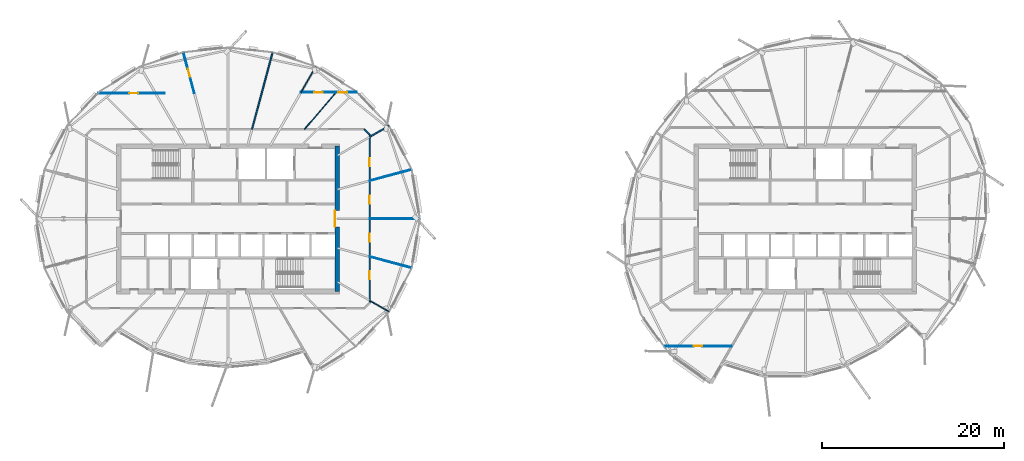
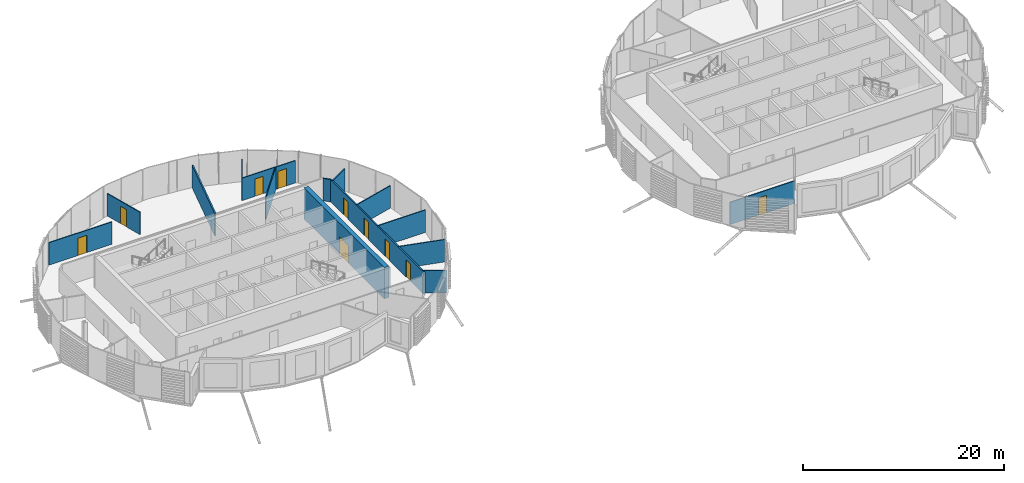
# One storey, part 22 of 41: 16 walls, 10 doors, 10 openings.
"""IFC4 building model written with IfcOpenShell, lengths in metres."""

from ifc_helpers import new_model, si_unit, direction, frame, frame_2d, origin, place, context, subcontext, project, spatial, rectangle, extrude, material, layer, layer_set, type_object, element, fill, save


model = new_model("IFC4")

# Units and contexts
model_context = context("Model", 3, precision=1e-05, world=origin(), true_north=direction((0.0, 1.0)))
body_context = subcontext(model_context, "Body", "Model", "MODEL_VIEW")
ifc_project = project(units=[si_unit("LENGTHUNIT", "METRE"), si_unit("AREAUNIT", "SQUARE_METRE"), si_unit("VOLUMEUNIT", "CUBIC_METRE"), si_unit("PLANEANGLEUNIT", "RADIAN"), si_unit("MASSUNIT", "GRAM", prefix="KILO")], contexts=[model_context])

# Site, building, storey
site_placement = place(None, origin())
site = spatial("IfcSite", under=ifc_project, at=site_placement, CompositionType="ELEMENT")
building_placement = place(site_placement, origin())
building = spatial("IfcBuilding", under=site, at=building_placement, Name="Rimbun Link Towers", CompositionType="ELEMENT")
storey_placement = place(building_placement, frame((0.0, 0.0, 214.300048828125)))
storey = spatial("IfcBuildingStorey", under=building, at=storey_placement, Name="L52", CompositionType="ELEMENT", Elevation=214.300048828125)

# Wall, opening, door
ifc_material_1 = material(Name="Concrete C60/75", Category="concrete")
ifc_layer_1 = layer(ifc_material_1, 0.5)
ifc_layer_set_1 = layer_set([ifc_layer_1], Name="Core shear wall 500")
wall_type_1 = type_object("IfcWallType", Name="Core shear wall 500", PredefinedType="SHEAR", material=ifc_layer_set_1)
wall_1_placement = place(storey_placement, frame((-19.75, -8.0, 0.0), z_axis=(0.0, 0.0, 1.0), x_axis=(0.0, 1.0, 0.0)))
wall_1 = element("IfcWall", 1, at=wall_1_placement, inside=storey, type_object=wall_type_1, Name="L52 T1 core wall E", PredefinedType="SHEAR", context=body_context, shape_type="SweptSolid", body=[
    extrude(rectangle(XDim=16.0, YDim=0.5, at=frame_2d((8.0, 0.0))), origin(), (0.0, 0.0, 1.0), 3.800048828125),
])
opening_1_placement = place(wall_1_placement, frame((7.10009765625, 0.0, 0.0)))
opening_1 = element("IfcOpeningElement", 2, at=opening_1_placement, cuts=wall_1, Name="Opening C1DCL01E", PredefinedType="OPENING", context=body_context, shape_type="SweptSolid", body=[
    extrude(rectangle(XDim=1.800048828125, YDim=2.10009765625, at=frame_2d((0.89990234375, 1.050048828125))), frame((0.0, 0.260009765625, 0.0), z_axis=(0.0, -1.0, 0.0), x_axis=(1.0, 0.0, 0.0)), (0.0, 0.0, 1.0), 0.52001953125),
])
ifc_material_2 = material(Name="Steel fire door set", Category="steel")
door_type_1 = type_object("IfcDoorType", Name="Core lobby door double", OperationType="DOUBLE_DOOR_SINGLE_SWING", PredefinedType="DOOR", material=ifc_material_2)
door_1_placement = place(opening_1_placement, origin())
door_1 = element("IfcDoor", 3, at=door_1_placement, inside=storey, type_object=door_type_1, Name="L52 T1 lift lobby door", OperationType="DOUBLE_DOOR_SINGLE_SWING", OverallHeight=2.10009765625, OverallWidth=1.800048828125, PredefinedType="DOOR", context=body_context, shape_type="SweptSolid", body=[
    extrude(rectangle(XDim=1.800048828125, YDim=2.10009765625, at=frame_2d((0.89990234375, 1.050048828125))), frame((0.0, 0.25, 0.0), z_axis=(0.0, -1.0, 0.0), x_axis=(1.0, 0.0, 0.0)), (0.0, 0.0, 1.0), 0.050048828125),
])
fill(opening_1, door_1)

# Wall
ifc_material_3 = material(Name="Plasterboard on steel stud, mineral wool", Category="steel")
ifc_layer_2 = layer(ifc_material_3, 0.14990234375)
ifc_layer_set_2 = layer_set([ifc_layer_2], Name="Corridor wall EI 30 150 mm")
wall_type_2 = type_object("IfcWallType", Name="Corridor wall EI 30 150 mm", PredefinedType="PARTITIONING", material=ifc_layer_set_2)
wall_2_placement = place(storey_placement, frame((-16.1650390625, 9.263671875, 0.0), z_axis=(0.0, 0.0, 1.0), x_axis=(-0.707106781187, 0.707106781187, 0.0)))
element("IfcWall", 4, at=wall_2_placement, inside=storey, type_object=wall_type_2, Name="Corridor wall EI 30 150 mm", PredefinedType="PARTITIONING", context=body_context, shape_type="SweptSolid", body=[
    extrude(rectangle(XDim=0.822021484375, YDim=0.14990234375, at=frame_2d((0.4111328125, 0.0))), origin(), (0.0, 0.0, 1.0), 2.721923828125),
])

# Wall, openings, doors
wall_3_placement = place(storey_placement, frame((-16.1650390625, 9.263671875, 0.0), z_axis=(0.0, 0.0, 1.0), x_axis=(0.0, -1.0, 0.0)))
wall_3 = element("IfcWall", 5, at=wall_3_placement, inside=storey, type_object=wall_type_2, Name="Corridor wall EI 30 150 mm", PredefinedType="PARTITIONING", context=body_context, shape_type="SweptSolid", body=[
    extrude(rectangle(XDim=18.52734375, YDim=0.14990234375, at=frame_2d((9.263671875, 0.0))), origin(), (0.0, 0.0, 1.0), 2.721923828125),
])
opening_2_placement = place(wall_3_placement, frame((15.041748046875, 0.0, 0.0)))
opening_2 = element("IfcOpeningElement", 6, at=opening_2_placement, cuts=wall_3, Name="Opening D02", PredefinedType="OPENING", context=body_context, shape_type="SweptSolid", body=[
    extrude(rectangle(XDim=0.89990234375, YDim=2.10009765625, at=frame_2d((0.449951171875, 1.050048828125))), frame((0.0, 0.0849609375, 0.0), z_axis=(0.0, -1.0, 0.0), x_axis=(1.0, 0.0, 0.0)), (0.0, 0.0, 1.0), 0.169921875),
])
opening_3_placement = place(wall_3_placement, frame((10.901611328125, 0.0, 0.0)))
opening_3 = element("IfcOpeningElement", 7, at=opening_3_placement, cuts=wall_3, Name="Opening D02", PredefinedType="OPENING", context=body_context, shape_type="SweptSolid", body=[
    extrude(rectangle(XDim=0.89990234375, YDim=2.10009765625, at=frame_2d((0.449951171875, 1.050048828125))), frame((0.0, 0.0849609375, 0.0), z_axis=(0.0, -1.0, 0.0), x_axis=(1.0, 0.0, 0.0)), (0.0, 0.0, 1.0), 0.169921875),
])
opening_4_placement = place(wall_3_placement, frame((6.7255859375, 0.0, 0.0)))
opening_4 = element("IfcOpeningElement", 8, at=opening_4_placement, cuts=wall_3, Name="Opening D02", PredefinedType="OPENING", context=body_context, shape_type="SweptSolid", body=[
    extrude(rectangle(XDim=0.89990234375, YDim=2.10009765625, at=frame_2d((0.449951171875, 1.050048828125))), frame((0.0, 0.0849609375, 0.0), z_axis=(0.0, -1.0, 0.0), x_axis=(1.0, 0.0, 0.0)), (0.0, 0.0, 1.0), 0.169921875),
])
opening_5_placement = place(wall_3_placement, frame((2.585693359375, 0.0, 0.0)))
opening_5 = element("IfcOpeningElement", 9, at=opening_5_placement, cuts=wall_3, Name="Opening D02", PredefinedType="OPENING", context=body_context, shape_type="SweptSolid", body=[
    extrude(rectangle(XDim=0.89990234375, YDim=2.10009765625, at=frame_2d((0.449951171875, 1.050048828125))), frame((0.0, 0.0849609375, 0.0), z_axis=(0.0, -1.0, 0.0), x_axis=(1.0, 0.0, 0.0)), (0.0, 0.0, 1.0), 0.169921875),
])
ifc_material_4 = material(Name="Fire-resisting timber door leaf", Category="wood")
door_type_2 = type_object("IfcDoorType", Name="Fire door FD30S 900", OperationType="NOTDEFINED", PredefinedType="DOOR", material=ifc_material_4)
door_2_placement = place(opening_2_placement, origin())
door_2 = element("IfcDoor", 10, at=door_2_placement, inside=storey, type_object=door_type_2, Name="Fire door FD30S 900 to Open office", OperationType="SINGLE_SWING_LEFT", OverallHeight=2.10009765625, OverallWidth=0.89990234375, PredefinedType="DOOR", context=body_context, shape_type="SweptSolid", body=[
    extrude(rectangle(XDim=0.89990234375, YDim=2.10009765625, at=frame_2d((0.449951171875, 1.050048828125))), frame((0.0, 0.02490234375, 0.0), z_axis=(0.0, -1.0, 0.0), x_axis=(1.0, 0.0, 0.0)), (0.0, 0.0, 1.0), 0.050048828125),
])
fill(opening_2, door_2)
door_3_placement = place(opening_3_placement, origin())
door_3 = element("IfcDoor", 11, at=door_3_placement, inside=storey, type_object=door_type_2, Name="Fire door FD30S 900 to Boardroom", OperationType="SINGLE_SWING_RIGHT", OverallHeight=2.10009765625, OverallWidth=0.89990234375, PredefinedType="DOOR", context=body_context, shape_type="SweptSolid", body=[
    extrude(rectangle(XDim=0.89990234375, YDim=2.10009765625, at=frame_2d((0.449951171875, 1.050048828125))), frame((0.0, 0.02490234375, 0.0), z_axis=(0.0, -1.0, 0.0), x_axis=(1.0, 0.0, 0.0)), (0.0, 0.0, 1.0), 0.050048828125),
])
fill(opening_3, door_3)
door_4_placement = place(opening_4_placement, origin())
door_4 = element("IfcDoor", 12, at=door_4_placement, inside=storey, type_object=door_type_2, Name="Fire door FD30S 900 to Meeting room", OperationType="SINGLE_SWING_LEFT", OverallHeight=2.10009765625, OverallWidth=0.89990234375, PredefinedType="DOOR", context=body_context, shape_type="SweptSolid", body=[
    extrude(rectangle(XDim=0.89990234375, YDim=2.10009765625, at=frame_2d((0.449951171875, 1.050048828125))), frame((0.0, 0.02490234375, 0.0), z_axis=(0.0, -1.0, 0.0), x_axis=(1.0, 0.0, 0.0)), (0.0, 0.0, 1.0), 0.050048828125),
])
fill(opening_4, door_4)
door_5_placement = place(opening_5_placement, origin())
door_5 = element("IfcDoor", 13, at=door_5_placement, inside=storey, type_object=door_type_2, Name="Fire door FD30S 900 to Executive office", OperationType="SINGLE_SWING_RIGHT", OverallHeight=2.10009765625, OverallWidth=0.89990234375, PredefinedType="DOOR", context=body_context, shape_type="SweptSolid", body=[
    extrude(rectangle(XDim=0.89990234375, YDim=2.10009765625, at=frame_2d((0.449951171875, 1.050048828125))), frame((0.0, 0.02490234375, 0.0), z_axis=(0.0, -1.0, 0.0), x_axis=(1.0, 0.0, 0.0)), (0.0, 0.0, 1.0), 0.050048828125),
])
fill(opening_5, door_5)

# Walls
ifc_material_5 = material(Name="Plasterboard on steel stud", Category="steel")
ifc_layer_3 = layer(ifc_material_5, 0.10009765625)
ifc_layer_set_3 = layer_set([ifc_layer_3], Name="Plasterboard partition 100 mm")
wall_type_3 = type_object("IfcWallType", Name="Plasterboard partition 100 mm", PredefinedType="PARTITIONING", material=ifc_layer_set_3)
wall_4_placement = place(storey_placement, frame((-14.065185546875, -10.21044921875, 0.0), z_axis=(0.0, 0.0, 1.0), x_axis=(-0.866016233231, 0.500015883528, 0.0)))
element("IfcWall", 14, at=wall_4_placement, inside=storey, type_object=wall_type_3, Name="Plasterboard partition 100 mm", PredefinedType="PARTITIONING", context=body_context, shape_type="SweptSolid", body=[
    extrude(rectangle(XDim=2.4248046875, YDim=0.10009765625, at=frame_2d((1.21240234375, 0.0))), origin(), (0.0, 0.0, 1.0), 2.721923828125),
])
wall_5_placement = place(storey_placement, frame((-11.57861328125, -5.40478515625, 0.0), z_axis=(0.0, 0.0, 1.0), x_axis=(-0.96593474065, 0.258785773964, 0.0)))
element("IfcWall", 15, at=wall_5_placement, inside=storey, type_object=wall_type_3, Name="Plasterboard partition 100 mm", PredefinedType="PARTITIONING", context=body_context, shape_type="SweptSolid", body=[
    extrude(rectangle(XDim=4.748291015625, YDim=0.10009765625, at=frame_2d((2.3740234375, 0.0))), origin(), (0.0, 0.0, 1.0), 2.721923828125),
])
wall_6_placement = place(storey_placement, frame((-10.689697265625, 0.0, 0.0), z_axis=(0.0, 0.0, 1.0), x_axis=(-1.0, 0.0, 0.0)))
element("IfcWall", 16, at=wall_6_placement, inside=storey, type_object=wall_type_3, Name="Plasterboard partition 100 mm", PredefinedType="PARTITIONING", context=body_context, shape_type="SweptSolid", body=[
    extrude(rectangle(XDim=5.475341796875, YDim=0.10009765625, at=frame_2d((2.73779296875, 0.0))), origin(), (0.0, 0.0, 1.0), 2.721923828125),
])
wall_7_placement = place(storey_placement, frame((-11.57861328125, 5.40478515625, 0.0), z_axis=(0.0, 0.0, 1.0), x_axis=(-0.96593474065, -0.258785773964, 0.0)))
element("IfcWall", 17, at=wall_7_placement, inside=storey, type_object=wall_type_3, Name="Plasterboard partition 100 mm", PredefinedType="PARTITIONING", context=body_context, shape_type="SweptSolid", body=[
    extrude(rectangle(XDim=4.748291015625, YDim=0.10009765625, at=frame_2d((2.3740234375, 0.0))), origin(), (0.0, 0.0, 1.0), 2.721923828125),
])

# Wall, opening, door
wall_8_placement = place(storey_placement, frame((-19.916259765625, 13.89501953125, 0.0), z_axis=(0.0, 0.0, 1.0), x_axis=(1.0, 0.0, 0.0)))
wall_8 = element("IfcWall", 18, at=wall_8_placement, inside=storey, type_object=wall_type_3, Name="Plasterboard partition 100 mm", PredefinedType="PARTITIONING", context=body_context, shape_type="SweptSolid", body=[
    extrude(rectangle(XDim=2.318603515625, YDim=0.10009765625, at=frame_2d((1.1591796875, 0.0))), origin(), (0.0, 0.0, 1.0), 2.721923828125),
])
opening_6_placement = place(wall_8_placement, frame((0.300048828125, 0.0, 0.0)))
opening_6 = element("IfcOpeningElement", 19, at=opening_6_placement, cuts=wall_8, Name="Opening D03", PredefinedType="OPENING", context=body_context, shape_type="SweptSolid", body=[
    extrude(rectangle(XDim=1.0, YDim=2.10009765625, at=frame_2d((0.5, 1.050048828125))), frame((0.0, 0.06005859375, 0.0), z_axis=(0.0, -1.0, 0.0), x_axis=(1.0, 0.0, 0.0)), (0.0, 0.0, 1.0), 0.1201171875),
])
ifc_material_6 = material(Name="Timber door leaf", Category="wood")
door_type_3 = type_object("IfcDoorType", Name="Flush door 1000", OperationType="NOTDEFINED", PredefinedType="DOOR", material=ifc_material_6)
door_6_placement = place(opening_6_placement, origin())
door_6 = element("IfcDoor", 20, at=door_6_placement, inside=storey, type_object=door_type_3, Name="Flush door 1000 to Boardroom", OperationType="SINGLE_SWING_LEFT", OverallHeight=2.10009765625, OverallWidth=1.0, PredefinedType="DOOR", context=body_context, shape_type="SweptSolid", body=[
    extrude(rectangle(XDim=1.0, YDim=2.10009765625, at=frame_2d((0.5, 1.050048828125))), frame((0.0, 0.02490234375, 0.0), z_axis=(0.0, -1.0, 0.0), x_axis=(1.0, 0.0, 0.0)), (0.0, 0.0, 1.0), 0.050048828125),
])
fill(opening_6, door_6)

# Wall
wall_9_placement = place(storey_placement, frame((-19.876708984375, 13.89501953125, 0.0), z_axis=(0.0, 0.0, 1.0), x_axis=(-0.649624395517, -0.760255315502, 0.0)))
element("IfcWall", 21, at=wall_9_placement, inside=storey, type_object=wall_type_3, Name="Plasterboard partition 100 mm", PredefinedType="PARTITIONING", context=body_context, shape_type="SweptSolid", body=[
    extrude(rectangle(XDim=5.3271484375, YDim=0.10009765625, at=frame_2d((2.66357421875, 0.0))), origin(), (0.0, 0.0, 1.0), 2.721923828125),
])

# Wall, opening, door
wall_10_placement = place(storey_placement, frame((-19.876708984375, 13.89501953125, 0.0), z_axis=(0.0, 0.0, 1.0), x_axis=(-1.0, 0.0, 0.0)))
wall_10 = element("IfcWall", 22, at=wall_10_placement, inside=storey, type_object=wall_type_3, Name="Plasterboard partition 100 mm", PredefinedType="PARTITIONING", context=body_context, shape_type="SweptSolid", body=[
    extrude(rectangle(XDim=3.85107421875, YDim=0.10009765625, at=frame_2d((1.925537109375, 0.0))), origin(), (0.0, 0.0, 1.0), 2.721923828125),
])
opening_7_placement = place(wall_10_placement, frame((1.475341796875, 0.0, 0.0)))
opening_7 = element("IfcOpeningElement", 23, at=opening_7_placement, cuts=wall_10, Name="Opening D04", PredefinedType="OPENING", context=body_context, shape_type="SweptSolid", body=[
    extrude(rectangle(XDim=0.89990234375, YDim=2.10009765625, at=frame_2d((0.449951171875, 1.050048828125))), frame((0.0, 0.06005859375, 0.0), z_axis=(0.0, -1.0, 0.0), x_axis=(1.0, 0.0, 0.0)), (0.0, 0.0, 1.0), 0.1201171875),
])
ifc_material_7 = material(Name="Timber door leaf", Category="wood")
door_type_4 = type_object("IfcDoorType", Name="Flush door 900", OperationType="NOTDEFINED", PredefinedType="DOOR", material=ifc_material_7)
door_7_placement = place(opening_7_placement, origin())
door_7 = element("IfcDoor", 24, at=door_7_placement, inside=storey, type_object=door_type_4, Name="Flush door 900 to Meeting room", OperationType="SINGLE_SWING_RIGHT", OverallHeight=2.10009765625, OverallWidth=0.89990234375, PredefinedType="DOOR", context=body_context, shape_type="SweptSolid", body=[
    extrude(rectangle(XDim=0.89990234375, YDim=2.10009765625, at=frame_2d((0.449951171875, 1.050048828125))), frame((0.0, 0.02490234375, 0.0), z_axis=(0.0, -1.0, 0.0), x_axis=(1.0, 0.0, 0.0)), (0.0, 0.0, 1.0), 0.050048828125),
])
fill(opening_7, door_7)

# Wall
wall_11_placement = place(storey_placement, frame((-22.100341796875, 16.713623046875, 0.0), z_axis=(0.0, 0.0, 1.0), x_axis=(-0.500027630784, -0.866009450556, 0.0)))
element("IfcWall", 25, at=wall_11_placement, inside=storey, type_object=wall_type_3, Name="Plasterboard partition 100 mm", PredefinedType="PARTITIONING", context=body_context, shape_type="SweptSolid", body=[
    extrude(rectangle(XDim=3.254638671875, YDim=0.10009765625, at=frame_2d((1.62744140625, 0.0))), origin(), (0.0, 0.0, 1.0), 2.721923828125),
])

# Wall, opening, door
wall_12_placement = place(storey_placement, frame((-46.003662109375, 13.804931640625, 0.0), z_axis=(0.0, 0.0, 1.0), x_axis=(1.0, 0.0, 0.0)))
wall_12 = element("IfcWall", 26, at=wall_12_placement, inside=storey, type_object=wall_type_3, Name="Plasterboard partition 100 mm", PredefinedType="PARTITIONING", context=body_context, shape_type="SweptSolid", body=[
    extrude(rectangle(XDim=7.277587890625, YDim=0.10009765625, at=frame_2d((3.638671875, 0.0))), origin(), (0.0, 0.0, 1.0), 2.721923828125),
])
opening_8_placement = place(wall_12_placement, frame((3.36328125, 0.0, 0.0)))
opening_8 = element("IfcOpeningElement", 27, at=opening_8_placement, cuts=wall_12, Name="Opening D03", PredefinedType="OPENING", context=body_context, shape_type="SweptSolid", body=[
    extrude(rectangle(XDim=1.0, YDim=2.10009765625, at=frame_2d((0.5, 1.050048828125))), frame((0.0, 0.06005859375, 0.0), z_axis=(0.0, -1.0, 0.0), x_axis=(1.0, 0.0, 0.0)), (0.0, 0.0, 1.0), 0.1201171875),
])
door_8_placement = place(opening_8_placement, origin())
door_8 = element("IfcDoor", 28, at=door_8_placement, inside=storey, type_object=door_type_3, Name="Flush door 1000 to Open office", OperationType="SINGLE_SWING_LEFT", OverallHeight=2.10009765625, OverallWidth=1.0, PredefinedType="DOOR", context=body_context, shape_type="SweptSolid", body=[
    extrude(rectangle(XDim=1.0, YDim=2.10009765625, at=frame_2d((0.5, 1.050048828125))), frame((0.0, 0.02490234375, 0.0), z_axis=(0.0, -1.0, 0.0), x_axis=(1.0, 0.0, 0.0)), (0.0, 0.0, 1.0), 0.050048828125),
])
fill(opening_8, door_8)

wall_13_placement = place(storey_placement, frame((-36.650146484375, 18.28759765625, 0.0), z_axis=(0.0, 0.0, 1.0), x_axis=(0.258779035432, -0.96593654596, 0.0)))
wall_13 = element("IfcWall", 29, at=wall_13_placement, inside=storey, type_object=wall_type_3, Name="Plasterboard partition 100 mm", PredefinedType="PARTITIONING", context=body_context, shape_type="SweptSolid", body=[
    extrude(rectangle(XDim=4.640625, YDim=0.10009765625, at=frame_2d((2.3203125, 0.0))), origin(), (0.0, 0.0, 1.0), 2.721923828125),
])
opening_9_placement = place(wall_13_placement, frame((1.870361328125, 0.0, 0.0)))
opening_9 = element("IfcOpeningElement", 30, at=opening_9_placement, cuts=wall_13, Name="Opening D04", PredefinedType="OPENING", context=body_context, shape_type="SweptSolid", body=[
    extrude(rectangle(XDim=0.89990234375, YDim=2.10009765625, at=frame_2d((0.449951171875, 1.050048828125))), frame((0.0, 0.06005859375, 0.0), z_axis=(0.0, -1.0, 0.0), x_axis=(1.0, 0.0, 0.0)), (0.0, 0.0, 1.0), 0.1201171875),
])
door_9_placement = place(opening_9_placement, origin())
door_9 = element("IfcDoor", 31, at=door_9_placement, inside=storey, type_object=door_type_4, Name="Flush door 900 to Executive office", OperationType="SINGLE_SWING_RIGHT", OverallHeight=2.10009765625, OverallWidth=0.89990234375, PredefinedType="DOOR", context=body_context, shape_type="SweptSolid", body=[
    extrude(rectangle(XDim=0.89990234375, YDim=2.10009765625, at=frame_2d((0.449951171875, 1.050048828125))), frame((0.0, 0.02490234375, 0.0), z_axis=(0.0, -1.0, 0.0), x_axis=(1.0, 0.0, 0.0)), (0.0, 0.0, 1.0), 0.050048828125),
])
fill(opening_9, door_9)

wall_14_placement = place(storey_placement, frame((23.664306640625, -14.0048828125, 0.0), z_axis=(0.0, 0.0, 1.0), x_axis=(-1.0, 0.0, 0.0)))
wall_14 = element("IfcWall", 32, at=wall_14_placement, inside=storey, type_object=wall_type_3, Name="Plasterboard partition 100 mm", PredefinedType="PARTITIONING", context=body_context, shape_type="SweptSolid", body=[
    extrude(rectangle(XDim=7.4423828125, YDim=0.10009765625, at=frame_2d((3.72119140625, 0.0))), origin(), (0.0, 0.0, 1.0), 2.721923828125),
])
opening_10_placement = place(wall_14_placement, frame((3.271240234375, 0.0, 0.0)))
opening_10 = element("IfcOpeningElement", 33, at=opening_10_placement, cuts=wall_14, Name="Opening D04", PredefinedType="OPENING", context=body_context, shape_type="SweptSolid", body=[
    extrude(rectangle(XDim=0.89990234375, YDim=2.10009765625, at=frame_2d((0.449951171875, 1.050048828125))), frame((0.0, 0.06005859375, 0.0), z_axis=(0.0, -1.0, 0.0), x_axis=(1.0, 0.0, 0.0)), (0.0, 0.0, 1.0), 0.1201171875),
])
door_10_placement = place(opening_10_placement, origin())
door_10 = element("IfcDoor", 34, at=door_10_placement, inside=storey, type_object=door_type_4, Name="Flush door 900 to Executive office", OperationType="SINGLE_SWING_RIGHT", OverallHeight=2.10009765625, OverallWidth=0.89990234375, PredefinedType="DOOR", context=body_context, shape_type="SweptSolid", body=[
    extrude(rectangle(XDim=0.89990234375, YDim=2.10009765625, at=frame_2d((0.449951171875, 1.050048828125))), frame((0.0, 0.02490234375, 0.0), z_axis=(0.0, -1.0, 0.0), x_axis=(1.0, 0.0, 0.0)), (0.0, 0.0, 1.0), 0.050048828125),
])
fill(opening_10, door_10)

# Walls
ifc_material_8 = material(Name="Plasterboard on steel stud, mineral wool", Category="steel")
ifc_layer_4 = layer(ifc_material_8, 0.14990234375)
ifc_layer_set_4 = layer_set([ifc_layer_4], Name="Tenancy separation wall EI 60 150 mm")
wall_type_4 = type_object("IfcWallType", Name="Tenancy separation wall EI 60 150 mm", PredefinedType="PARTITIONING", material=ifc_layer_set_4)
wall_15_placement = place(storey_placement, frame((-16.1650390625, 8.998046875, 0.0), z_axis=(0.0, 0.0, 1.0), x_axis=(0.866016233231, 0.500015883528, 0.0)))
element("IfcWall", 35, at=wall_15_placement, inside=storey, type_object=wall_type_4, Name="Tenancy separation wall EI 60 150 mm", PredefinedType="PARTITIONING", context=body_context, shape_type="SweptSolid", body=[
    extrude(rectangle(XDim=2.4248046875, YDim=0.14990234375, at=frame_2d((1.21240234375, 0.0))), origin(), (0.0, 0.0, 1.0), 2.721923828125),
])
wall_16_placement = place(storey_placement, frame((-29.112060546875, 9.844970703125, 0.0), z_axis=(0.0, 0.0, 1.0), x_axis=(0.258820321487, 0.965925484282, 0.0)))
element("IfcWall", 36, at=wall_16_placement, inside=storey, type_object=wall_type_4, Name="Tenancy separation wall EI 60 150 mm", PredefinedType="PARTITIONING", context=body_context, shape_type="SweptSolid", body=[
    extrude(rectangle(XDim=8.740478515625, YDim=0.14990234375, at=frame_2d((4.3701171875, 0.0))), origin(), (0.0, 0.0, 1.0), 2.721923828125),
])

save(model, "model.ifc")
